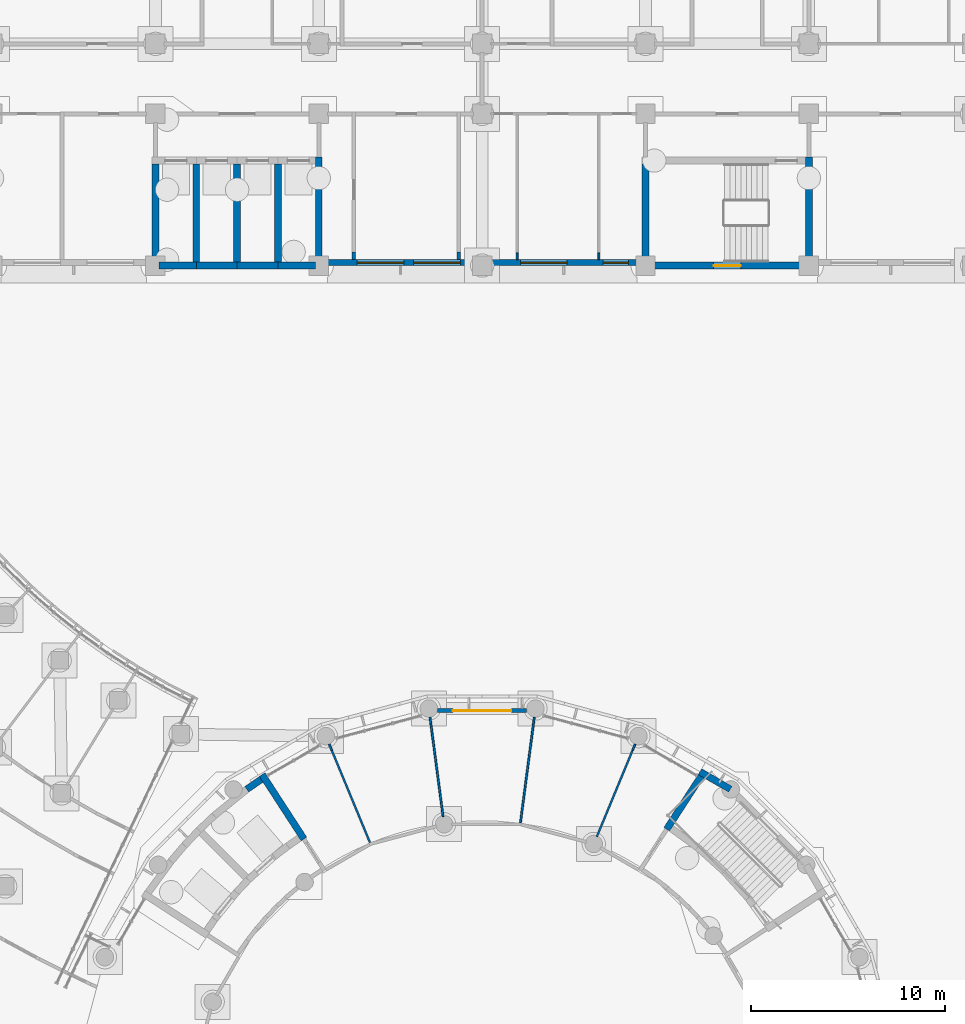
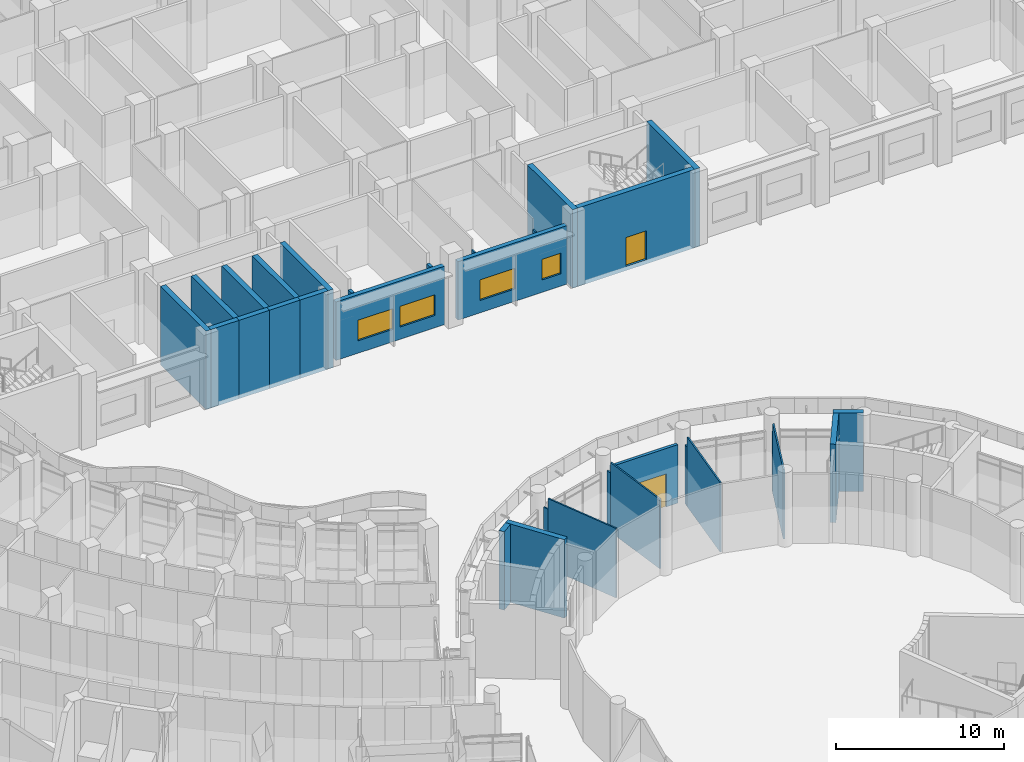
# One storey, part 69 of 146: 31 walls, 4 windows, 2 doors, 6 openings.
"""IFC4 building model written with IfcOpenShell, lengths in metres."""

from ifc_helpers import new_model, si_unit, direction, frame, frame_2d, origin, place, context, subcontext, project, spatial, rectangle, extrude, material, layer, layer_set, type_object, element, fill, save


model = new_model("IFC4")

# Units and contexts
model_context = context("Model", 3, precision=1e-05, world=origin(), true_north=direction((0.0, 1.0)))
body_context = subcontext(model_context, "Body", "Model", "MODEL_VIEW")
ifc_project = project(units=[si_unit("LENGTHUNIT", "METRE"), si_unit("AREAUNIT", "SQUARE_METRE"), si_unit("VOLUMEUNIT", "CUBIC_METRE"), si_unit("PLANEANGLEUNIT", "RADIAN"), si_unit("MASSUNIT", "GRAM", prefix="KILO")], contexts=[model_context])

# Site, building, storey
site_placement = place(None, origin())
site = spatial("IfcSite", under=ifc_project, at=site_placement, CompositionType="ELEMENT")
building_placement = place(site_placement, origin())
building = spatial("IfcBuilding", under=site, at=building_placement, Name="Bougainvillea Quay General Hospital", CompositionType="ELEMENT")
storey_placement = place(building_placement, origin())
storey = spatial("IfcBuildingStorey", under=building, at=storey_placement, Name="L00", CompositionType="ELEMENT", Elevation=0.0)

# Wall, opening, door
ifc_material_1 = material(Name="Insulated aluminium panel cladding, anodised silver", Category="aluminium")
ifc_layer_1 = layer(ifc_material_1, 0.199951171875)
ifc_layer_set_1 = layer_set([ifc_layer_1], Name="Insulated aluminium panel cladding, anodised silver")
wall_type_1 = type_object("IfcWallType", Name="Entrance portal wall 200", PredefinedType="STANDARD", material=ifc_layer_set_1)
wall_1_placement = place(storey_placement, frame((111.490966796875, 94.719970703125, 0.0), z_axis=(0.0, 0.0, 1.0), x_axis=(-1.0, 0.0, 0.0)))
wall_1 = element("IfcWall", 1, at=wall_1_placement, inside=storey, type_object=wall_type_1, Name="External wall cw/V1/L00/e06/portal0/00a", PredefinedType="STANDARD", context=body_context, shape_type="SweptSolid", body=[
    extrude(rectangle(XDim=4.58203125, YDim=0.199951171875, at=frame_2d((2.291015625, 0.0))), origin(), (0.0, 0.0, 1.0), 4.25),
])
opening_1_placement = place(wall_1_placement, frame((0.791015625, 0.0, 0.0)))
opening_1 = element("IfcOpeningElement", 2, at=opening_1_placement, cuts=wall_1, Name="Opening L00.360", PredefinedType="OPENING", context=body_context, shape_type="SweptSolid", body=[
    extrude(rectangle(XDim=3.0, YDim=2.39990234375, at=frame_2d((1.5, 1.199951171875))), frame((0.0, 0.10986328125, 0.0), z_axis=(0.0, -1.0, 0.0), x_axis=(1.0, 0.0, 0.0)), (0.0, 0.0, 1.0), 0.219970703125),
])
ifc_material_2 = material(Name="Aluminium and toughened glass sliding door set, anodised", Category="aluminium")
door_type_1 = type_object("IfcDoorType", Name="Automatic sliding entrance door 3000x2400", OperationType="SLIDING_TO_LEFT", PredefinedType="DOOR", material=ifc_material_2)
door_1_placement = place(opening_1_placement, frame((3.0, 0.0, 0.0), z_axis=(0.0, 0.0, 1.0), x_axis=(-1.0, 0.0, 0.0)))
door_1 = element("IfcDoor", 3, at=door_1_placement, inside=storey, type_object=door_type_1, Name="North hall entrance", OperationType="SINGLE_SWING_LEFT", OverallHeight=2.39990234375, OverallWidth=3.0, PredefinedType="DOOR", context=body_context, shape_type="SweptSolid", body=[
    extrude(rectangle(XDim=3.0, YDim=2.39990234375, at=frame_2d((1.5, 1.199951171875))), frame((0.0, 0.02490234375, 0.0), z_axis=(0.0, -1.0, 0.0), x_axis=(1.0, 0.0, 0.0)), (0.0, 0.0, 1.0), 0.050048828125),
])
fill(opening_1, door_1)

# Wall, openings, windows
ifc_material_3 = material(Name="Pale stone rainscreen cladding on insulated masonry backing, pale stone", Category="masonry")
ifc_layer_2 = layer(ifc_material_3, 0.300048828125)
ifc_layer_set_2 = layer_set([ifc_layer_2], Name="Pale stone rainscreen cladding on insulated masonry backing, pale stone")
wall_type_2 = type_object("IfcWallType", Name="External wall pale stone rainscreen 300", PredefinedType="STANDARD", material=ifc_layer_set_2)
wall_2_placement = place(storey_placement, frame((101.25, 117.75, 0.0), z_axis=(0.0, 0.0, 1.0), x_axis=(1.0, 0.0, 0.0)))
wall_2 = element("IfcWall", 4, at=wall_2_placement, inside=storey, type_object=wall_type_2, Name="External wall wall/V4/L00/p1/00b", PredefinedType="STANDARD", context=body_context, shape_type="SweptSolid", body=[
    extrude(rectangle(XDim=7.5, YDim=0.300048828125, at=frame_2d((3.75, 0.0))), origin(), (0.0, 0.0, 1.0), 4.25),
])
opening_2_placement = place(wall_2_placement, frame((1.52490234375, 0.0, 0.89990234375)))
opening_2 = element("IfcOpeningElement", 5, at=opening_2_placement, cuts=wall_2, Name="Opening W3", PredefinedType="OPENING", context=body_context, shape_type="SweptSolid", body=[
    extrude(rectangle(XDim=2.39990234375, YDim=1.5, at=frame_2d((1.199951171875, 0.75))), frame((0.0, 0.159912109375, 0.0), z_axis=(0.0, -1.0, 0.0), x_axis=(1.0, 0.0, 0.0)), (0.0, 0.0, 1.0), 0.320068359375),
])
opening_3_placement = place(wall_2_placement, frame((4.425048828125, 0.0, 0.89990234375)))
opening_3 = element("IfcOpeningElement", 6, at=opening_3_placement, cuts=wall_2, Name="Opening W3", PredefinedType="OPENING", context=body_context, shape_type="SweptSolid", body=[
    extrude(rectangle(XDim=2.39990234375, YDim=1.5, at=frame_2d((1.199951171875, 0.75))), frame((0.0, 0.159912109375, 0.0), z_axis=(0.0, -1.0, 0.0), x_axis=(1.0, 0.0, 0.0)), (0.0, 0.0, 1.0), 0.320068359375),
])
ifc_material_4 = material(Name="Aluminium window frame with low-e double glazed unit", Category="aluminium")
window_type_1 = type_object("IfcWindowType", Name="Window W3 2400x1500", PartitioningType="TRIPLE_PANEL_VERTICAL", PredefinedType="WINDOW", material=ifc_material_4)
window_1_placement = place(opening_2_placement, origin())
window_1 = element("IfcWindow", 7, at=window_1_placement, inside=storey, type_object=window_type_1, Name="Window W3 1", OverallHeight=1.5, OverallWidth=2.39990234375, PartitioningType="SINGLE_PANEL", PredefinedType="WINDOW", context=body_context, shape_type="SweptSolid", body=[
    extrude(rectangle(XDim=2.39990234375, YDim=1.5, at=frame_2d((1.199951171875, 0.75))), frame((0.0, 0.030029296875, 0.0), z_axis=(0.0, -1.0, 0.0), x_axis=(1.0, 0.0, 0.0)), (0.0, 0.0, 1.0), 0.06005859375),
])
fill(opening_2, window_1)
window_2_placement = place(opening_3_placement, origin())
window_2 = element("IfcWindow", 8, at=window_2_placement, inside=storey, type_object=window_type_1, Name="Window W3 2", OverallHeight=1.5, OverallWidth=2.39990234375, PartitioningType="SINGLE_PANEL", PredefinedType="WINDOW", context=body_context, shape_type="SweptSolid", body=[
    extrude(rectangle(XDim=2.39990234375, YDim=1.5, at=frame_2d((1.199951171875, 0.75))), frame((0.0, 0.030029296875, 0.0), z_axis=(0.0, -1.0, 0.0), x_axis=(1.0, 0.0, 0.0)), (0.0, 0.0, 1.0), 0.06005859375),
])
fill(opening_3, window_2)

wall_3_placement = place(storey_placement, frame((109.64990234375, 117.75, 0.0), z_axis=(0.0, 0.0, 1.0), x_axis=(1.0, 0.0, 0.0)))
wall_3 = element("IfcWall", 9, at=wall_3_placement, inside=storey, type_object=wall_type_2, Name="External wall wall/V4/L00/p1/00c", PredefinedType="STANDARD", context=body_context, shape_type="SweptSolid", body=[
    extrude(rectangle(XDim=7.5, YDim=0.300048828125, at=frame_2d((3.75, 0.0))), origin(), (0.0, 0.0, 1.0), 4.25),
])
opening_4_placement = place(wall_3_placement, frame((1.52490234375, 0.0, 0.89990234375)))
opening_4 = element("IfcOpeningElement", 10, at=opening_4_placement, cuts=wall_3, Name="Opening W3", PredefinedType="OPENING", context=body_context, shape_type="SweptSolid", body=[
    extrude(rectangle(XDim=2.39990234375, YDim=1.5, at=frame_2d((1.199951171875, 0.75))), frame((0.0, 0.159912109375, 0.0), z_axis=(0.0, -1.0, 0.0), x_axis=(1.0, 0.0, 0.0)), (0.0, 0.0, 1.0), 0.320068359375),
])
opening_5_placement = place(wall_3_placement, frame((5.77392578125, 0.0, 0.89990234375)))
opening_5 = element("IfcOpeningElement", 11, at=opening_5_placement, cuts=wall_3, Name="Opening W3N130", PredefinedType="OPENING", context=body_context, shape_type="SweptSolid", body=[
    extrude(rectangle(XDim=1.300048828125, YDim=1.5, at=frame_2d((0.64990234375, 0.75))), frame((0.0, 0.159912109375, 0.0), z_axis=(0.0, -1.0, 0.0), x_axis=(1.0, 0.0, 0.0)), (0.0, 0.0, 1.0), 0.320068359375),
])
window_type_2 = type_object("IfcWindowType", Name="Window W3 1300x1500", PartitioningType="TRIPLE_PANEL_VERTICAL", PredefinedType="WINDOW", material=ifc_material_4)
window_3_placement = place(opening_5_placement, origin())
window_3 = element("IfcWindow", 12, at=window_3_placement, inside=storey, type_object=window_type_2, Name="Window W3 2", OverallHeight=1.5, OverallWidth=1.300048828125, PartitioningType="SINGLE_PANEL", PredefinedType="WINDOW", context=body_context, shape_type="SweptSolid", body=[
    extrude(rectangle(XDim=1.300048828125, YDim=1.5, at=frame_2d((0.64990234375, 0.75))), frame((0.0, 0.030029296875, 0.0), z_axis=(0.0, -1.0, 0.0), x_axis=(1.0, 0.0, 0.0)), (0.0, 0.0, 1.0), 0.06005859375),
])
fill(opening_5, window_3)
window_4_placement = place(opening_4_placement, origin())
window_4 = element("IfcWindow", 13, at=window_4_placement, inside=storey, type_object=window_type_1, Name="Window W3 1", OverallHeight=1.5, OverallWidth=2.39990234375, PartitioningType="SINGLE_PANEL", PredefinedType="WINDOW", context=body_context, shape_type="SweptSolid", body=[
    extrude(rectangle(XDim=2.39990234375, YDim=1.5, at=frame_2d((1.199951171875, 0.75))), frame((0.0, 0.030029296875, 0.0), z_axis=(0.0, -1.0, 0.0), x_axis=(1.0, 0.0, 0.0)), (0.0, 0.0, 1.0), 0.06005859375),
])
fill(opening_4, window_4)

# Walls
ifc_material_5 = material(Name="Gypsum board partition on steel studs", Category="steel")
ifc_layer_3 = layer(ifc_material_5, 0.10009765625)
ifc_layer_set_3 = layer_set([ifc_layer_3], Name="Gypsum board partition on steel studs")
wall_type_3 = type_object("IfcWallType", Name="Partition 100 Gypsum board partition", PredefinedType="PARTITIONING", material=ifc_layer_set_3)
for number, where, z_axis, x_axis, name in (
    (14, (110.998046875, 117.89990234375, 0.0), (0.0, 0.0, 1.0), (0.0, 1.0, 0.0), "Partition 100 mm"),
    (15, (115.197998046875, 117.89990234375, 0.0), (0.0, 0.0, 1.0), (0.0, 1.0, 0.0), "Partition 100 mm"),
):
    element("IfcWall", number, at=place(storey_placement, frame(where, z_axis=z_axis, x_axis=x_axis)), inside=storey, type_object=wall_type_3, Name=name, PredefinedType="PARTITIONING", context=body_context, shape_type="SweptSolid", body=[
        extrude(rectangle(XDim=0.35009765625, YDim=0.10009765625, at=frame_2d((0.175048828125, 0.0))), origin(), (0.0, 0.0, 1.0), 4.280029296875),
    ])
wall_4_placement = place(storey_placement, frame((115.091796875, 88.224365234375, 0.0), z_axis=(0.0, 0.0, 1.0), x_axis=(0.382670335106, 0.923884957465, 0.0)))
element("IfcWall", 16, at=wall_4_placement, inside=storey, type_object=wall_type_3, Name="Partition 100 mm", PredefinedType="PARTITIONING", context=body_context, shape_type="SweptSolid", body=[
    extrude(rectangle(XDim=4.805908203125, YDim=0.10009765625, at=frame_2d((2.40283203125, 0.0))), origin(), (0.0, 0.0, 1.0), 5.050048828125),
])
for number, where, z_axis, x_axis, name in (
    (17, (116.930908203125, 92.66455078125, 0.0), (0.0, 0.0, 1.0), (0.383029543019, 0.923736092818, 0.0), "Partition 100 mm"),
    (18, (101.335205078125, 92.98779296875, 0.0), (0.0, 0.0, 1.0), (0.382433977181, -0.92398282078, 0.0), "Partition 100 mm"),
):
    element("IfcWall", number, at=place(storey_placement, frame(where, z_axis=z_axis, x_axis=x_axis)), inside=storey, type_object=wall_type_3, Name=name, PredefinedType="PARTITIONING", context=body_context, shape_type="SweptSolid", body=[
        extrude(rectangle(XDim=0.349853515625, YDim=0.10009765625, at=frame_2d((0.1748046875, 0.0))), origin(), (0.0, 0.0, 1.0), 4.280029296875),
    ])
wall_5_placement = place(storey_placement, frame((101.468994140625, 92.66455078125, 0.0), z_axis=(0.0, 0.0, 1.0), x_axis=(0.382715329854, -0.923866319494, 0.0)))
element("IfcWall", 19, at=wall_5_placement, inside=storey, type_object=wall_type_3, Name="Partition 100 mm", PredefinedType="PARTITIONING", context=body_context, shape_type="SweptSolid", body=[
    extrude(rectangle(XDim=5.12060546875, YDim=0.10009765625, at=frame_2d((2.560302734375, 0.0))), origin(), (0.0, 0.0, 1.0), 5.050048828125),
])
wall_6_placement = place(storey_placement, frame((106.517333984375, 94.376953125, 0.0), z_axis=(0.0, 0.0, 1.0), x_axis=(0.13038236842, -0.991463785524, 0.0)))
element("IfcWall", 20, at=wall_6_placement, inside=storey, type_object=wall_type_3, Name="Partition 100 mm", PredefinedType="PARTITIONING", context=body_context, shape_type="SweptSolid", body=[
    extrude(rectangle(XDim=0.35009765625, YDim=0.10009765625, at=frame_2d((0.175048828125, 0.0))), origin(), (0.0, 0.0, 1.0), 4.280029296875),
])
wall_7_placement = place(storey_placement, frame((106.56298828125, 94.02978515625, 0.0), z_axis=(0.0, 0.0, 1.0), x_axis=(0.130516279849, -0.991446166312, 0.0)))
element("IfcWall", 21, at=wall_7_placement, inside=storey, type_object=wall_type_3, Name="Partition 100 mm", PredefinedType="PARTITIONING", context=body_context, shape_type="SweptSolid", body=[
    extrude(rectangle(XDim=4.805419921875, YDim=0.10009765625, at=frame_2d((2.40283203125, 0.0))), origin(), (0.0, 0.0, 1.0), 5.050048828125),
])
wall_8_placement = place(storey_placement, frame((111.168701171875, 88.953369140625, 0.0), z_axis=(0.0, 0.0, 1.0), x_axis=(0.130505083023, 0.991447640224, 0.0)))
element("IfcWall", 22, at=wall_8_placement, inside=storey, type_object=wall_type_3, Name="Partition 100 mm", PredefinedType="PARTITIONING", context=body_context, shape_type="SweptSolid", body=[
    extrude(rectangle(XDim=5.1201171875, YDim=0.10009765625, at=frame_2d((2.56005859375, 0.0))), origin(), (0.0, 0.0, 1.0), 5.050048828125),
])
wall_9_placement = place(storey_placement, frame((111.8369140625, 94.02978515625, 0.0), z_axis=(0.0, 0.0, 1.0), x_axis=(0.131067654089, 0.991373426138, 0.0)))
element("IfcWall", 23, at=wall_9_placement, inside=storey, type_object=wall_type_3, Name="Partition 100 mm", PredefinedType="PARTITIONING", context=body_context, shape_type="SweptSolid", body=[
    extrude(rectangle(XDim=0.35009765625, YDim=0.10009765625, at=frame_2d((0.175048828125, 0.0))), origin(), (0.0, 0.0, 1.0), 4.280029296875),
])
ifc_material_6 = material(Name="Fire-rated autoclaved aerated block wall, plastered")
ifc_layer_4 = layer(ifc_material_6, 0.199951171875)
ifc_layer_set_4 = layer_set([ifc_layer_4], Name="Fire-rated autoclaved aerated block wall, plastered")
wall_type_4 = type_object("IfcWallType", Name="Partition 200 Fire-rated autoclaved aerated block wall EI 120", PredefinedType="SOLIDWALL", material=ifc_layer_set_4)
wall_10_placement = place(storey_placement, frame((107.998046875, 117.89990234375, 0.0), z_axis=(0.0, 0.0, 1.0), x_axis=(0.0, 1.0, 0.0)))
element("IfcWall", 24, at=wall_10_placement, inside=storey, type_object=wall_type_4, Name="Partition 200 mm EI 120", PredefinedType="SOLIDWALL", context=body_context, shape_type="SweptSolid", body=[
    extrude(rectangle(XDim=0.400146484375, YDim=0.199951171875, at=frame_2d((0.2001953125, 0.0))), origin(), (0.0, 0.0, 1.0), 4.280029296875),
])
ifc_layer_5 = layer(ifc_material_6, 0.199951171875)
ifc_layer_set_5 = layer_set([ifc_layer_5], Name="Fire-rated autoclaved aerated block wall, plastered")
wall_type_5 = type_object("IfcWallType", Name="Partition 200 Fire-rated autoclaved aerated block wall EI 60", PredefinedType="SOLIDWALL", material=ifc_layer_set_5)
wall_11_placement = place(storey_placement, frame((102.597900390625, 117.89990234375, 0.0), z_axis=(0.0, 0.0, 1.0), x_axis=(0.0, 1.0, 0.0)))
element("IfcWall", 25, at=wall_11_placement, inside=storey, type_object=wall_type_5, Name="Partition 200 mm EI 60", PredefinedType="SOLIDWALL", context=body_context, shape_type="SweptSolid", body=[
    extrude(rectangle(XDim=0.400146484375, YDim=0.199951171875, at=frame_2d((0.2001953125, 0.0))), origin(), (0.0, 0.0, 1.0), 4.280029296875),
])
ifc_material_7 = material(Name="Concrete C40", Category="concrete")
ifc_layer_6 = layer(ifc_material_7, 0.35009765625)
ifc_layer_set_6 = layer_set([ifc_layer_6], Name="Concrete C40")
wall_type_6 = type_object("IfcWallType", Name="RC SHEAR WALL 350 C40", PredefinedType="SHEAR", material=ifc_layer_set_6)
wall_12_placement = place(storey_placement, frame((92.39990234375, 117.425048828125, -0.300048828125), z_axis=(0.0, 0.0, 1.0), x_axis=(0.0, 1.0, 0.0)))
element("IfcWall", 26, at=wall_12_placement, inside=storey, type_object=wall_type_6, Name="Shear wall L00", PredefinedType="SHEAR", context=body_context, shape_type="SweptSolid", body=[
    extrude(rectangle(XDim=5.39990234375, YDim=0.35009765625, at=frame_2d((2.699951171875, 0.0))), origin(), (0.0, 0.0, 1.0), 5.699951171875),
])
wall_13_placement = place(storey_placement, frame((92.574951171875, 117.60009765625, -0.300048828125), z_axis=(0.0, 0.0, 1.0), x_axis=(1.0, 0.0, 0.0)))
element("IfcWall", 27, at=wall_13_placement, inside=storey, type_object=wall_type_6, Name="Shear wall L00", PredefinedType="SHEAR", context=body_context, shape_type="SweptSolid", body=[
    extrude(rectangle(XDim=1.925048828125, YDim=0.35009765625, at=frame_2d((0.96240234375, 0.0))), origin(), (0.0, 0.0, 1.0), 5.699951171875),
])
wall_14_placement = place(storey_placement, frame((94.5, 117.60009765625, -0.300048828125), z_axis=(0.0, 0.0, 1.0), x_axis=(1.0, 0.0, 0.0)))
element("IfcWall", 28, at=wall_14_placement, inside=storey, type_object=wall_type_6, Name="Shear wall L00", PredefinedType="SHEAR", context=body_context, shape_type="SweptSolid", body=[
    extrude(rectangle(XDim=2.10009765625, YDim=0.35009765625, at=frame_2d((1.050048828125, 0.0))), origin(), (0.0, 0.0, 1.0), 5.699951171875),
])
wall_15_placement = place(storey_placement, frame((94.5, 117.77490234375, -0.300048828125), z_axis=(0.0, 0.0, 1.0), x_axis=(0.0, 1.0, 0.0)))
element("IfcWall", 29, at=wall_15_placement, inside=storey, type_object=wall_type_6, Name="Shear wall L00", PredefinedType="SHEAR", context=body_context, shape_type="SweptSolid", body=[
    extrude(rectangle(XDim=5.050048828125, YDim=0.35009765625, at=frame_2d((2.52490234375, 0.0))), origin(), (0.0, 0.0, 1.0), 5.699951171875),
])
wall_16_placement = place(storey_placement, frame((96.60009765625, 117.60009765625, -0.300048828125), z_axis=(0.0, 0.0, 1.0), x_axis=(1.0, 0.0, 0.0)))
element("IfcWall", 30, at=wall_16_placement, inside=storey, type_object=wall_type_6, Name="Shear wall L00", PredefinedType="SHEAR", context=body_context, shape_type="SweptSolid", body=[
    extrude(rectangle(XDim=2.099853515625, YDim=0.35009765625, at=frame_2d((1.0498046875, 0.0))), origin(), (0.0, 0.0, 1.0), 5.699951171875),
])
wall_17_placement = place(storey_placement, frame((96.60009765625, 117.77490234375, -0.300048828125), z_axis=(0.0, 0.0, 1.0), x_axis=(0.0, 1.0, 0.0)))
element("IfcWall", 31, at=wall_17_placement, inside=storey, type_object=wall_type_6, Name="Shear wall L00", PredefinedType="SHEAR", context=body_context, shape_type="SweptSolid", body=[
    extrude(rectangle(XDim=5.050048828125, YDim=0.35009765625, at=frame_2d((2.52490234375, 0.0))), origin(), (0.0, 0.0, 1.0), 5.699951171875),
])
wall_18_placement = place(storey_placement, frame((97.09765625, 90.669921875, -0.300048828125), z_axis=(0.0, 0.0, 1.0), x_axis=(0.823914707919, 0.566713820261, 0.0)))
element("IfcWall", 32, at=wall_18_placement, inside=storey, type_object=wall_type_6, Name="Shear wall L00", PredefinedType="SHEAR", context=body_context, shape_type="SweptSolid", body=[
    extrude(rectangle(XDim=0.89599609375, YDim=0.35009765625, at=frame_2d((0.447998046875, 0.0))), origin(), (0.0, 0.0, 1.0), 5.699951171875),
])
wall_19_placement = place(storey_placement, frame((97.884765625, 91.423828125, -0.300048828125), z_axis=(0.0, 0.0, 1.0), x_axis=(0.544577782893, -0.838710342359, 0.0)))
element("IfcWall", 33, at=wall_19_placement, inside=storey, type_object=wall_type_6, Name="Shear wall L00", PredefinedType="SHEAR", context=body_context, shape_type="SweptSolid", body=[
    extrude(rectangle(XDim=3.950927734375, YDim=0.35009765625, at=frame_2d((1.9755859375, 0.0))), origin(), (0.0, 0.0, 1.0), 5.699951171875),
])
wall_20_placement = place(storey_placement, frame((98.699951171875, 117.60009765625, -0.300048828125), z_axis=(0.0, 0.0, 1.0), x_axis=(1.0, 0.0, 0.0)))
element("IfcWall", 34, at=wall_20_placement, inside=storey, type_object=wall_type_6, Name="Shear wall L00", PredefinedType="SHEAR", context=body_context, shape_type="SweptSolid", body=[
    extrude(rectangle(XDim=1.925048828125, YDim=0.35009765625, at=frame_2d((0.96240234375, 0.0))), origin(), (0.0, 0.0, 1.0), 5.699951171875),
])
wall_21_placement = place(storey_placement, frame((98.699951171875, 117.77490234375, -0.300048828125), z_axis=(0.0, 0.0, 1.0), x_axis=(0.0, 1.0, 0.0)))
element("IfcWall", 35, at=wall_21_placement, inside=storey, type_object=wall_type_6, Name="Shear wall L00", PredefinedType="SHEAR", context=body_context, shape_type="SweptSolid", body=[
    extrude(rectangle(XDim=5.050048828125, YDim=0.35009765625, at=frame_2d((2.52490234375, 0.0))), origin(), (0.0, 0.0, 1.0), 5.699951171875),
])
wall_22_placement = place(storey_placement, frame((100.800048828125, 117.425048828125, -0.300048828125), z_axis=(0.0, 0.0, 1.0), x_axis=(0.0, 1.0, 0.0)))
element("IfcWall", 36, at=wall_22_placement, inside=storey, type_object=wall_type_6, Name="Shear wall L00", PredefinedType="SHEAR", context=body_context, shape_type="SweptSolid", body=[
    extrude(rectangle(XDim=5.75, YDim=0.35009765625, at=frame_2d((2.875, 0.0))), origin(), (0.0, 0.0, 1.0), 5.699951171875),
])
wall_23_placement = place(storey_placement, frame((117.60009765625, 117.425048828125, -0.300048828125), z_axis=(0.0, 0.0, 1.0), x_axis=(0.0, 1.0, 0.0)))
element("IfcWall", 37, at=wall_23_placement, inside=storey, type_object=wall_type_6, Name="Shear wall L00", PredefinedType="SHEAR", context=body_context, shape_type="SweptSolid", body=[
    extrude(rectangle(XDim=5.39990234375, YDim=0.35009765625, at=frame_2d((2.699951171875, 0.0))), origin(), (0.0, 0.0, 1.0), 5.699951171875),
])

# Wall, opening, door
wall_24_placement = place(storey_placement, frame((117.77490234375, 117.60009765625, -0.300048828125), z_axis=(0.0, 0.0, 1.0), x_axis=(1.0, 0.0, 0.0)))
wall_24 = element("IfcWall", 38, at=wall_24_placement, inside=storey, type_object=wall_type_6, Name="Shear wall L00", PredefinedType="SHEAR", context=body_context, shape_type="SweptSolid", body=[
    extrude(rectangle(XDim=8.050048828125, YDim=0.35009765625, at=frame_2d((4.02490234375, 0.0))), origin(), (0.0, 0.0, 1.0), 5.699951171875),
])
opening_6_placement = place(wall_24_placement, frame((3.324951171875, 0.0, 0.300048828125)))
opening_6 = element("IfcOpeningElement", 39, at=opening_6_placement, cuts=wall_24, Name="Opening L00.341", PredefinedType="OPENING", context=body_context, shape_type="SweptSolid", body=[
    extrude(rectangle(XDim=1.39990234375, YDim=2.10009765625, at=frame_2d((0.699951171875, 1.050048828125))), frame((0.0, 0.18505859375, 0.0), z_axis=(0.0, -1.0, 0.0), x_axis=(1.0, 0.0, 0.0)), (0.0, 0.0, 1.0), 0.3701171875),
])
ifc_material_8 = material(Name="Steel door leaf, painted, with vision panel", Category="steel")
door_type_2 = type_object("IfcDoorType", Name="Stair discharge door 1400x2100", OperationType="SINGLE_SWING_LEFT", PredefinedType="DOOR", material=ifc_material_8)
door_2_placement = place(opening_6_placement, frame((1.39990234375, 0.0, 0.0), z_axis=(0.0, 0.0, 1.0), x_axis=(-1.0, 0.0, 0.0)))
door_2 = element("IfcDoor", 40, at=door_2_placement, inside=storey, type_object=door_type_2, Name="Stair discharge door ST-B3", OperationType="SINGLE_SWING_LEFT", OverallHeight=2.10009765625, OverallWidth=1.39990234375, PredefinedType="DOOR", context=body_context, shape_type="SweptSolid", body=[
    extrude(rectangle(XDim=1.39990234375, YDim=2.10009765625, at=frame_2d((0.699951171875, 1.050048828125))), frame((0.0, 0.02490234375, 0.0), z_axis=(0.0, -1.0, 0.0), x_axis=(1.0, 0.0, 0.0)), (0.0, 0.0, 1.0), 0.050048828125),
])
fill(opening_6, door_2)

# Walls
wall_25_placement = place(storey_placement, frame((118.690673828125, 88.6142578125, -0.300048828125), z_axis=(0.0, 0.0, 1.0), x_axis=(0.544668615038, 0.838651357712, 0.0)))
element("IfcWall", 41, at=wall_25_placement, inside=storey, type_object=wall_type_6, Name="Shear wall L00", PredefinedType="SHEAR", context=body_context, shape_type="SweptSolid", body=[
    extrude(rectangle(XDim=3.248046875, YDim=0.35009765625, at=frame_2d((1.6240234375, 0.0))), origin(), (0.0, 0.0, 1.0), 5.699951171875),
])
wall_26_placement = place(storey_placement, frame((120.403564453125, 91.572509765625, -0.300048828125), z_axis=(0.0, 0.0, 1.0), x_axis=(0.866050214951, -0.499957023337, 0.0)))
element("IfcWall", 42, at=wall_26_placement, inside=storey, type_object=wall_type_6, Name="Shear wall L00", PredefinedType="SHEAR", context=body_context, shape_type="SweptSolid", body=[
    extrude(rectangle(XDim=1.802001953125, YDim=0.35009765625, at=frame_2d((0.90087890625, 0.0))), origin(), (0.0, 0.0, 1.0), 5.699951171875),
])
wall_27_placement = place(storey_placement, frame((126.0, 117.425048828125, -0.300048828125), z_axis=(0.0, 0.0, 1.0), x_axis=(0.0, 1.0, 0.0)))
element("IfcWall", 43, at=wall_27_placement, inside=storey, type_object=wall_type_6, Name="Shear wall L00", PredefinedType="SHEAR", context=body_context, shape_type="SweptSolid", body=[
    extrude(rectangle(XDim=5.75, YDim=0.35009765625, at=frame_2d((2.875, 0.0))), origin(), (0.0, 0.0, 1.0), 5.699951171875),
])

save(model, "model.ifc")
